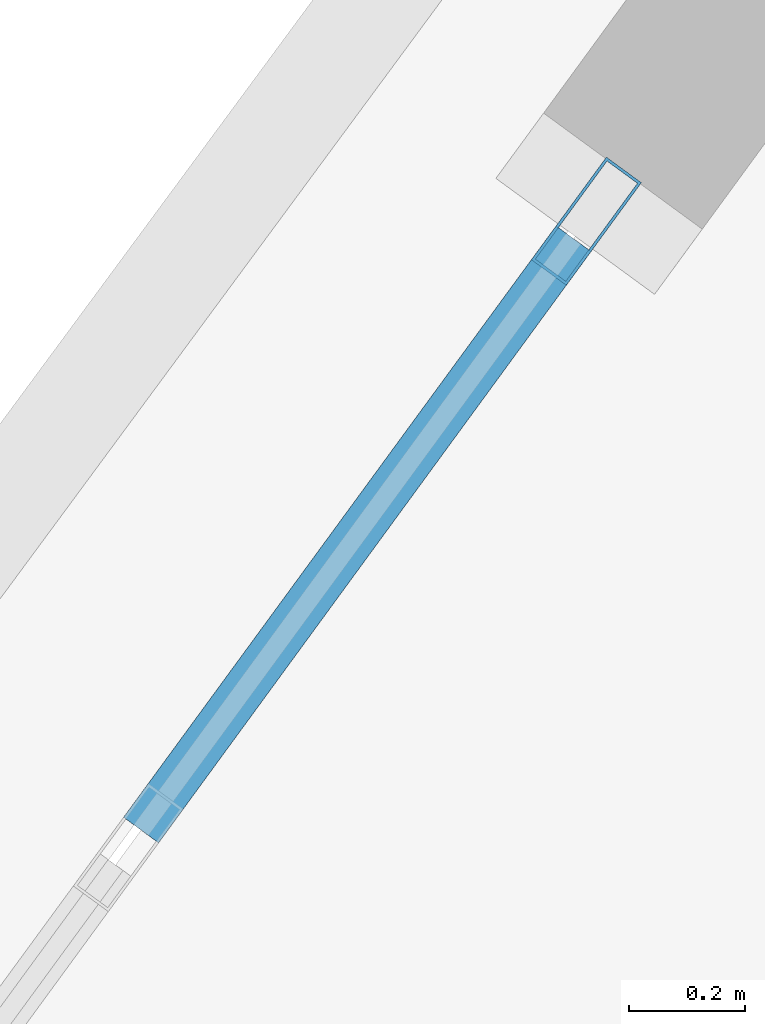
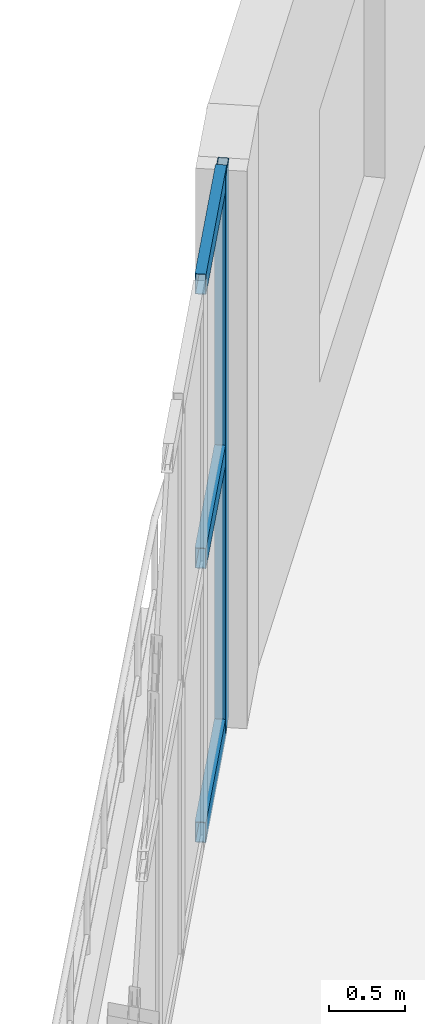
# One storey, part 10 of 23: 4 members, 1 element without a shape of its own.
"""IFC4 building model written with IfcOpenShell, lengths in metres."""

from ifc_helpers import new_model, si_unit, direction, frame, origin, origin_2d, place, context, subcontext, project, spatial, hollow_rectangle, extrude, material, layer, layer_set, material_profile, profile_set, type_object, element, aggregate, save


model = new_model("IFC4")

# Units and contexts
model_context = context("Model", 3, precision=1e-05, world=origin(), true_north=direction((0.0, 1.0)))
body_context = subcontext(model_context, "Body", "Model", "MODEL_VIEW")
ifc_project = project(units=[si_unit("LENGTHUNIT", "METRE"), si_unit("AREAUNIT", "SQUARE_METRE"), si_unit("VOLUMEUNIT", "CUBIC_METRE"), si_unit("PLANEANGLEUNIT", "RADIAN"), si_unit("MASSUNIT", "GRAM", prefix="KILO")], contexts=[model_context])

# Site, building, storey
site_placement = place(None, origin())
site = spatial("IfcSite", under=ifc_project, at=site_placement, CompositionType="ELEMENT")
building_placement = place(site_placement, origin())
building = spatial("IfcBuilding", under=site, at=building_placement, Name="Miruveldt Soraemaru", CompositionType="ELEMENT")
storey_placement = place(building_placement, frame((0.0, 0.0, 14.39990234375)))
storey = spatial("IfcBuildingStorey", under=building, at=storey_placement, Name="L04", CompositionType="ELEMENT", Elevation=14.39990234375)

# Curtain wall, members
ifc_material = material(Name="Anodised aluminium EN AW-6063 T6", Category="aluminium")
ifc_layer = layer(ifc_material, 0.219970703125, Name="Anodised aluminium EN AW-6063 T6", Category="aluminium")
ifc_layer_set = layer_set([ifc_layer], Name="Anodised aluminium EN AW-6063 T6")
curtain_wall_type = type_object("IfcCurtainWallType", Name="CW-SYS-2", PredefinedType="USERDEFINED", material=ifc_layer_set)
curtain_wall_placement = place(storey_placement, origin())
curtain_wall = element("IfcCurtainWall", 1, at=curtain_wall_placement, inside=storey, type_object=curtain_wall_type, Name="L04 Curtain Wall Bay 9", ObjectType="STOREFRONT", PredefinedType="USERDEFINED")
ifc_material_profile_1 = material_profile(ifc_material, hollow_rectangle(XDim=0.074951171875, YDim=0.219970703125, WallThickness=0.0048828125, at=origin_2d()), Name="Anodised aluminium EN AW-6063 T6", Category="aluminium")
ifc_profile_set_1 = profile_set([ifc_material_profile_1], Name="Anodised aluminium EN AW-6063 T6")
member_type_1 = type_object("IfcMemberType", Name="CWM-2", PredefinedType="MULLION", material=ifc_profile_set_1)
member_1_placement = place(storey_placement, frame((29.48828125, 64.735595703125, 0.0), z_axis=(0.0, 0.0, 1.0), x_axis=(0.807242449767, -0.590219982121, 0.0)))
member_1 = element("IfcMember", 2, at=member_1_placement, type_object=member_type_1, Name="CW-2 mullion 1", PredefinedType="MULLION", context=body_context, shape_type="SweptSolid", body=[
    extrude(hollow_rectangle(XDim=0.074951171875, YDim=0.219970703125, WallThickness=0.0048828125, at=origin_2d()), origin(), (0.0, 0.0, 1.0), 4.5),
])
ifc_material_profile_2 = material_profile(ifc_material, hollow_rectangle(XDim=0.074951171875, YDim=0.1650390625, WallThickness=0.00390625, at=origin_2d()), Name="Anodised aluminium EN AW-6063 T6", Category="aluminium")
ifc_profile_set_2 = profile_set([ifc_material_profile_2], Name="Anodised aluminium EN AW-6063 T6")
member_type_2 = type_object("IfcMemberType", Name="CWT-2", PredefinedType="USERDEFINED", material=ifc_profile_set_2)
member_2_placement = place(storey_placement, frame((29.466064453125, 64.705322265625, 0.03759765625), z_axis=(-0.590344815042, -0.807151162641, 0.0), x_axis=(0.807151162641, -0.590344815042, 0.0)))
member_2 = element("IfcMember", 3, at=member_2_placement, type_object=member_type_2, Name="CW-2 transom 1.1", ObjectType="TRANSOM", PredefinedType="USERDEFINED", context=body_context, shape_type="SweptSolid", body=[
    extrude(hollow_rectangle(XDim=0.074951171875, YDim=0.1650390625, WallThickness=0.00390625, at=origin_2d()), origin(), (0.0, 0.0, 1.0), 1.26806640625),
])
member_3_placement = place(storey_placement, frame((29.466064453125, 64.705322265625, 2.25), z_axis=(-0.590344815042, -0.807151162641, 0.0), x_axis=(0.807151162641, -0.590344815042, 0.0)))
member_3 = element("IfcMember", 4, at=member_3_placement, type_object=member_type_2, Name="CW-2 transom 1.2", ObjectType="TRANSOM", PredefinedType="USERDEFINED", context=body_context, shape_type="SweptSolid", body=[
    extrude(hollow_rectangle(XDim=0.074951171875, YDim=0.1650390625, WallThickness=0.00390625, at=origin_2d()), origin(), (0.0, 0.0, 1.0), 1.26806640625),
])
member_4_placement = place(storey_placement, frame((29.466064453125, 64.705322265625, 4.462646484375), z_axis=(-0.590344815042, -0.807151162641, 0.0), x_axis=(0.807151162641, -0.590344815042, 0.0)))
member_4 = element("IfcMember", 5, at=member_4_placement, type_object=member_type_2, Name="CW-2 transom 1.3", ObjectType="TRANSOM", PredefinedType="USERDEFINED", context=body_context, shape_type="SweptSolid", body=[
    extrude(hollow_rectangle(XDim=0.074951171875, YDim=0.1650390625, WallThickness=0.00390625, at=origin_2d()), origin(), (0.0, 0.0, 1.0), 1.26806640625),
])
aggregate(curtain_wall, [member_1, member_2, member_3, member_4])

save(model, "model.ifc")
